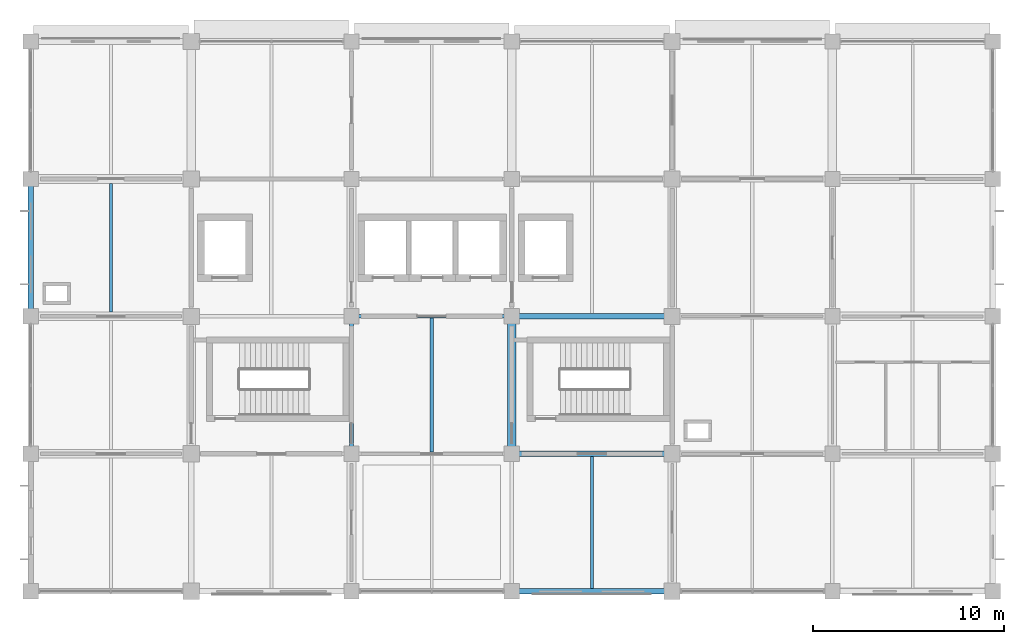
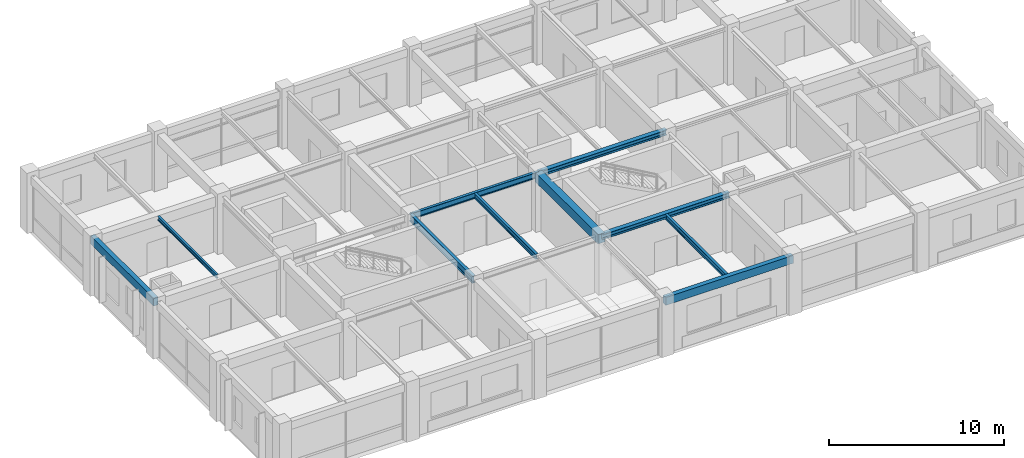
# One storey, part 3 of 13: 10 beams.
"""IFC4 building model written with IfcOpenShell, lengths in metres."""

from ifc_helpers import new_model, si_unit, derived_unit, direction, frame, origin, origin_2d, place, context, subcontext, project, spatial, rectangle, i_section, extrude, material, material_profile, profile_set, type_object, element, save


model = new_model("IFC4")

# Units and contexts
model_context = context("Model", 3, precision=1e-05, world=origin(), true_north=direction((0.0, 1.0)))
body_context = subcontext(model_context, "Body", "Model", "MODEL_VIEW")
ifc_project = project(units=[si_unit("LENGTHUNIT", "METRE"), si_unit("AREAUNIT", "SQUARE_METRE"), si_unit("VOLUMEUNIT", "CUBIC_METRE"), si_unit("PLANEANGLEUNIT", "RADIAN"), si_unit("MASSUNIT", "GRAM", prefix="KILO"), derived_unit("THERMALTRANSMITTANCEUNIT", [(si_unit("MASSUNIT", "GRAM", prefix="KILO"), 1), (si_unit("TIMEUNIT", "SECOND"), -3), (si_unit("THERMODYNAMICTEMPERATUREUNIT", "KELVIN"), -1)])], contexts=[model_context])

# Site, building, storey
site_placement = place(None, origin())
site = spatial("IfcSite", under=ifc_project, at=site_placement, CompositionType="ELEMENT")
building_placement = place(site_placement, origin())
building = spatial("IfcBuilding", under=site, at=building_placement, Name="Veldstrom Oceanarium and Marine Research Institute", CompositionType="ELEMENT")
storey_placement = place(building_placement, frame((0.0, 0.0, 27.0)))
storey = spatial("IfcBuildingStorey", under=building, at=storey_placement, Name="L05", CompositionType="ELEMENT", Elevation=27.0)

# Beams
ifc_material_1 = material(Name="Concrete C40/50", Category="concrete")
ifc_material_profile_1 = material_profile(ifc_material_1, rectangle(XDim=0.449951171875, YDim=0.64990234375, at=origin_2d()), Name="RC-BM-450x650")
ifc_profile_set_1 = profile_set([ifc_material_profile_1], Name="Concrete C40/50")
beam_type_1 = type_object("IfcBeamType", Name="STR-BM-B05", PredefinedType="BEAM", material=ifc_profile_set_1)
beam_1_placement = place(storey_placement, frame((92.39990234375, 50.39990234375, 3.590087890625), z_axis=(0.0, 1.0, 0.0), x_axis=(-1.0, 0.0, 0.0)))
element("IfcBeam", 1, at=beam_1_placement, inside=storey, type_object=beam_type_1, Name="Primary Beam B05 L05-2217", PredefinedType="BEAM", context=body_context, shape_type="SweptSolid", body=[
    extrude(rectangle(XDim=0.449951171875, YDim=0.64990234375, at=origin_2d()), origin(), (0.0, 0.0, 1.0), 7.2001953125),
])
ifc_material_2 = material(Name="Steel S355JR", Category="steel")
ifc_material_profile_2 = material_profile(ifc_material_2, i_section(OverallWidth=0.199951171875, OverallDepth=0.5, WebThickness=0.01025390625, FlangeThickness=0.01611328125, FilletRadius=0.02099609375, at=origin_2d()), Name="IPE 500")
ifc_profile_set_2 = profile_set([ifc_material_profile_2], Name="Steel S355JR")
beam_type_2 = type_object("IfcBeamType", Name="STR-BM-SB6", PredefinedType="BEAM", material=ifc_profile_set_2)
beam_2_placement = place(storey_placement, frame((84.0, 50.39990234375, 3.6650390625), z_axis=(0.0, 1.0, 0.0), x_axis=(-1.0, 0.0, 0.0)))
element("IfcBeam", 2, at=beam_2_placement, inside=storey, type_object=beam_type_2, Name="Steel Tie Beam SB6 L05-2213", PredefinedType="BEAM", context=body_context, shape_type="SweptSolid", body=[
    extrude(i_section(OverallWidth=0.199951171875, OverallDepth=0.5, WebThickness=0.01025390625, FlangeThickness=0.01611328125, FilletRadius=0.02099609375, at=origin_2d()), origin(), (0.0, 0.0, 1.0), 7.2001953125),
])
ifc_material_3 = material(Name="Steel S355JR", Category="steel")
ifc_material_profile_3 = material_profile(ifc_material_3, i_section(OverallWidth=0.179931640625, OverallDepth=0.39990234375, WebThickness=0.008544921875, FlangeThickness=0.013427734375, FilletRadius=0.02099609375, at=origin_2d()), Name="IPE 400")
ifc_profile_set_3 = profile_set([ifc_material_profile_3], Name="Steel S355JR")
beam_type_3 = type_object("IfcBeamType", Name="STR-BM-SB8", PredefinedType="BEAM", material=ifc_profile_set_3)
beam_3_placement = place(storey_placement, frame((84.0, 57.60009765625, 3.715087890625), z_axis=(1.0, 0.0, 0.0), x_axis=(0.0, 1.0, 0.0)))
element("IfcBeam", 3, at=beam_3_placement, inside=storey, type_object=beam_type_3, Name="Steel Floor Girder SB8 L05-2186", PredefinedType="BEAM", context=body_context, shape_type="SweptSolid", body=[
    extrude(i_section(OverallWidth=0.179931640625, OverallDepth=0.39990234375, WebThickness=0.008544921875, FlangeThickness=0.013427734375, FilletRadius=0.02099609375, at=origin_2d()), origin(), (0.0, 0.0, 1.0), 8.39990234375),
])
ifc_material_4 = material(Name="Steel S355JR", Category="steel")
ifc_material_profile_4 = material_profile(ifc_material_4, i_section(OverallWidth=0.300048828125, OverallDepth=0.35009765625, WebThickness=0.010009765625, FlangeThickness=0.017578125, FilletRadius=0.027099609375, at=origin_2d()), Name="HEA 360")
ifc_profile_set_4 = profile_set([ifc_material_profile_4], Name="Steel S355JR")
beam_type_4 = type_object("IfcBeamType", Name="STR-BM-SB9", PredefinedType="BEAM", material=ifc_profile_set_4)
for number, where, z_axis, x_axis, name in (
    (4, (92.39990234375, 50.39990234375, 3.739990234375), (1.0, 0.0, 0.0), (0.0, 1.0, 0.0), "Steel Floor Girder SB9 L05-2190"),
    (5, (92.39990234375, 57.60009765625, 3.739990234375), (1.0, 0.0, 0.0), (0.0, 1.0, 0.0), "Steel Floor Girder SB9 L05-2191"),
):
    element("IfcBeam", number, at=place(storey_placement, frame(where, z_axis=z_axis, x_axis=x_axis)), inside=storey, type_object=beam_type_4, Name=name, PredefinedType="BEAM", context=body_context, shape_type="SweptSolid", body=[
        extrude(i_section(OverallWidth=0.300048828125, OverallDepth=0.35009765625, WebThickness=0.010009765625, FlangeThickness=0.017578125, FilletRadius=0.027099609375, at=origin_2d()), origin(), (0.0, 0.0, 1.0), 8.400146484375),
    ])
ifc_material_5 = material(Name="Steel S355JR", Category="steel")
ifc_material_profile_5 = material_profile(ifc_material_5, i_section(OverallWidth=0.169921875, OverallDepth=0.360107421875, WebThickness=0.008056640625, FlangeThickness=0.0126953125, FilletRadius=0.01806640625, at=origin_2d()), Name="IPE 360")
ifc_profile_set_5 = profile_set([ifc_material_profile_5], Name="Steel S355JR")
beam_type_5 = type_object("IfcBeamType", Name="STR-JST-SJ1", PredefinedType="JOIST", material=ifc_profile_set_5)
beam_4_placement = place(storey_placement, frame((88.199951171875, 50.489990234375, 3.735107421875), z_axis=(0.0, 1.0, 0.0), x_axis=(-1.0, 0.0, 0.0)))
element("IfcBeam", 6, at=beam_4_placement, inside=storey, type_object=beam_type_5, Name="Secondary Joist SJ1 L05-2240", PredefinedType="JOIST", context=body_context, shape_type="SweptSolid", body=[
    extrude(i_section(OverallWidth=0.169921875, OverallDepth=0.360107421875, WebThickness=0.008056640625, FlangeThickness=0.0126953125, FilletRadius=0.01806640625, at=origin_2d()), origin(), (0.0, 0.0, 1.0), 7.02001953125),
])
beam_5_placement = place(storey_placement, frame((96.60009765625, 43.35009765625, 3.735107421875), z_axis=(0.0, 1.0, 0.0), x_axis=(-1.0, 0.0, 0.0)))
element("IfcBeam", 7, at=beam_5_placement, inside=storey, type_object=beam_type_5, Name="Secondary Joist SJ1 L05-2242", PredefinedType="JOIST", context=body_context, shape_type="SweptSolid", body=[
    extrude(i_section(OverallWidth=0.169921875, OverallDepth=0.360107421875, WebThickness=0.008056640625, FlangeThickness=0.0126953125, FilletRadius=0.01806640625, at=origin_2d()), origin(), (0.0, 0.0, 1.0), 6.89990234375),
])
ifc_material_6 = material(Name="Steel S355JR", Category="steel")
ifc_material_profile_6 = material_profile(ifc_material_6, i_section(OverallWidth=0.135009765625, OverallDepth=0.27001953125, WebThickness=0.006591796875, FlangeThickness=0.01025390625, FilletRadius=0.014892578125, at=origin_2d()), Name="IPE 270")
ifc_profile_set_6 = profile_set([ifc_material_profile_6], Name="Steel S355JR")
beam_type_6 = type_object("IfcBeamType", Name="STR-JST-SJ3", PredefinedType="JOIST", material=ifc_profile_set_6)
beam_6_placement = place(storey_placement, frame((71.39990234375, 57.824951171875, 3.780029296875), z_axis=(0.0, 1.0, 0.0), x_axis=(-1.0, 0.0, 0.0)))
element("IfcBeam", 8, at=beam_6_placement, inside=storey, type_object=beam_type_6, Name="Secondary Joist SJ3 L05-2234", PredefinedType="JOIST", context=body_context, shape_type="SweptSolid", body=[
    extrude(i_section(OverallWidth=0.135009765625, OverallDepth=0.27001953125, WebThickness=0.006591796875, FlangeThickness=0.01025390625, FilletRadius=0.014892578125, at=origin_2d()), origin(), (0.0, 0.0, 1.0), 6.75),
])
ifc_material_7 = material(Name="Concrete C40/50", Category="concrete")
ifc_material_profile_7 = material_profile(ifc_material_7, rectangle(XDim=0.300048828125, YDim=0.550048828125, at=origin_2d()), Name="RC-SPN-300x550")
ifc_profile_set_7 = profile_set([ifc_material_profile_7], Name="Concrete C40/50")
beam_type_7 = type_object("IfcBeamType", Name="STR-SPN-SP2", PredefinedType="SPANDREL", material=ifc_profile_set_7)
beam_7_placement = place(storey_placement, frame((92.39990234375, 43.199951171875, 3.639892578125), z_axis=(1.0, 0.0, 0.0), x_axis=(0.0, 1.0, 0.0)))
element("IfcBeam", 9, at=beam_7_placement, inside=storey, type_object=beam_type_7, Name="Perimeter Spandrel SPB2 L05-2189", PredefinedType="SPANDREL", context=body_context, shape_type="SweptSolid", body=[
    extrude(rectangle(XDim=0.300048828125, YDim=0.550048828125, at=origin_2d()), origin(), (0.0, 0.0, 1.0), 8.400146484375),
])
beam_8_placement = place(storey_placement, frame((67.199951171875, 57.60009765625, 3.639892578125), z_axis=(0.0, 1.0, 0.0), x_axis=(-1.0, 0.0, 0.0)))
element("IfcBeam", 10, at=beam_8_placement, inside=storey, type_object=beam_type_7, Name="Perimeter Spandrel SPB2 L05-2206", PredefinedType="SPANDREL", context=body_context, shape_type="SweptSolid", body=[
    extrude(rectangle(XDim=0.300048828125, YDim=0.550048828125, at=origin_2d()), origin(), (0.0, 0.0, 1.0), 7.199951171875),
])

save(model, "model.ifc")
